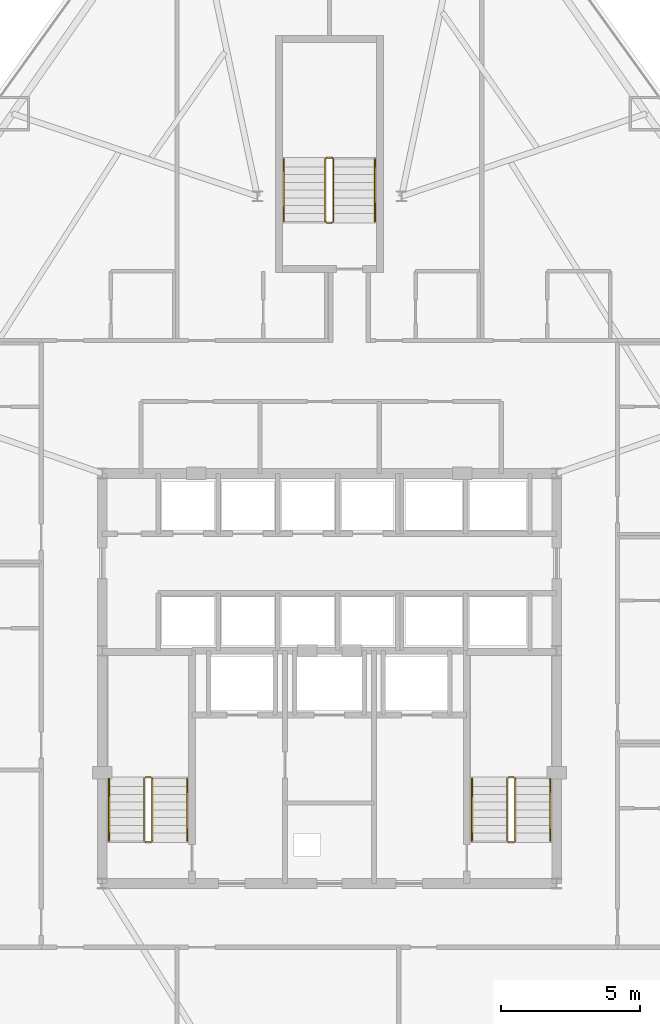
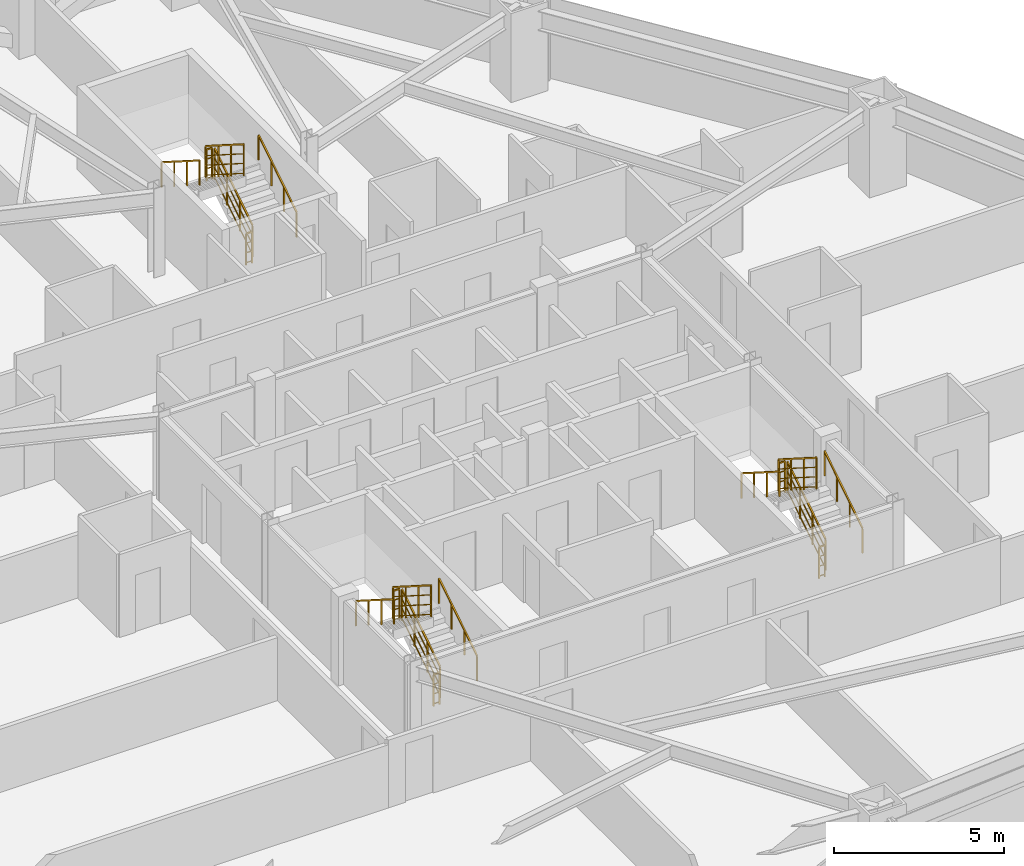
# One storey, part 12 of 12: 18 railings.
"""IFC4 building model written with IfcOpenShell, lengths in metres."""

import ifcopenshell
import ifcopenshell.guid

model = None  # the IFC model being written
_history = None  # IfcOwnerHistory: only IFC2X3 demands one
_inside = {}  # id of a spatial element -> (the spatial element, [elements in it])
_under = {}  # id of a project, library or spatial element -> (it, [spatial elements below it])
_declared = {}  # id of a project -> (the project, [libraries it declares])
_typed = {}  # id of a type object -> (the type object, [elements of that type])
_made_of = {}  # id of a material, layer set ... -> (it, [elements and type objects made of it])


def new_model(schema):
    """Start an empty IFC model of exactly this schema.

    Asked for "IFC4X3", IfcOpenShell would pick the latest addendum, in which some entities
    have other attributes; the version numbers below select the first issue.
    IFC2X3 requires an IfcOwnerHistory on every rooted entity: one is made here for all.
    """
    global model, _history
    if schema == "IFC4X3":
        model = ifcopenshell.file(schema_version=(4, 3, 0, 0))
    else:
        model = ifcopenshell.file(schema=schema)
    _inside.clear()
    _under.clear()
    _declared.clear()
    _typed.clear()
    _made_of.clear()
    _history = None
    if model.schema == "IFC2X3":
        org = make("IfcOrganization", Name="unknown")
        user = make(
            "IfcPersonAndOrganization",
            ThePerson=make("IfcPerson", FamilyName="unknown"),
            TheOrganization=org,
        )
        app = make(
            "IfcApplication",
            ApplicationDeveloper=org,
            Version="unknown",
            ApplicationFullName="unknown",
            ApplicationIdentifier="unknown",
        )
        _history = make(
            "IfcOwnerHistory",
            OwningUser=user,
            OwningApplication=app,
            ChangeAction="ADDED",
            CreationDate=0,
        )
    return model


def make(cls, **values):
    """One entity of the class cls with the attributes given. An attribute that is None is left unset."""
    return model.create_entity(
        cls, **{name: value for name, value in values.items() if value is not None}
    )


def rooted(cls, **values):
    """An entity with a GlobalId (a new one), such as an element, a storey or a relation."""
    return make(cls, GlobalId=ifcopenshell.guid.new(), OwnerHistory=_history, **values)


def si_unit(unit_type, name, prefix=None):
    """IfcSIUnit, for example si_unit("LENGTHUNIT", "METRE", prefix="MILLI")."""
    return make("IfcSIUnit", UnitType=unit_type, Prefix=prefix, Name=name)


def assignment(units):
    """IfcUnitAssignment: the units of a project."""
    return None if units is None else make("IfcUnitAssignment", Units=units)


def point(xyz):
    """IfcCartesianPoint."""
    return None if xyz is None else make("IfcCartesianPoint", Coordinates=xyz)


def direction(xyz):
    """IfcDirection."""
    return None if xyz is None else make("IfcDirection", DirectionRatios=xyz)


def frame(location, z_axis=None, x_axis=None):
    """IfcAxis2Placement3D, a coordinate frame: its origin and axes. An axis left out is left unset."""
    return make(
        "IfcAxis2Placement3D",
        Location=point(location),
        Axis=direction(z_axis),
        RefDirection=direction(x_axis),
    )


def frame_2d(location, x_axis=None):
    """IfcAxis2Placement2D, a coordinate frame in the plane: its origin and x axis."""
    return make(
        "IfcAxis2Placement2D", Location=point(location), RefDirection=direction(x_axis)
    )


def origin():
    """The frame at (0, 0, 0) with its axes left unset."""
    return frame((0.0, 0.0, 0.0))


def origin_2d():
    """The frame at (0, 0) in the plane with its x axis left unset."""
    return frame_2d((0.0, 0.0))


def place(relative_to, where):
    """IfcLocalPlacement: puts the frame where relative to a parent placement (None: the world)."""
    return make(
        "IfcLocalPlacement", PlacementRelTo=relative_to, RelativePlacement=where
    )


def context(
    kind, dimensions, precision=None, world=None, true_north=None, identifier=None
):
    """IfcGeometricRepresentationContext, for example the 3D "Model" context."""
    return make(
        "IfcGeometricRepresentationContext",
        ContextIdentifier=identifier,
        ContextType=kind,
        CoordinateSpaceDimension=dimensions,
        Precision=precision,
        WorldCoordinateSystem=world,
        TrueNorth=true_north,
    )


def subcontext(parent, identifier, kind, view, scale=None):
    """IfcGeometricRepresentationSubContext, for example "Body" below "Model"."""
    return make(
        "IfcGeometricRepresentationSubContext",
        ContextIdentifier=identifier,
        ContextType=kind,
        ParentContext=parent,
        TargetScale=scale,
        TargetView=view,
    )


def project(units=None, contexts=None):
    """IfcProject with its units and contexts."""
    return rooted(
        "IfcProject",
        Name="project",
        RepresentationContexts=contexts,
        UnitsInContext=assignment(units),
    )


def spatial(cls, under=None, at=None, **own):
    """A site, building, storey or space (cls), placed at a placement, below another one or the project."""
    s = rooted(cls, ObjectPlacement=at, **own)
    if under is not None:
        _under.setdefault(under.id(), (under, []))[1].append(s)
    return s


def profile(cls, at=None, kind="AREA", **sizes):
    """A parametric profile (cls). Its sizes go by their IFC names, for example OverallWidth=200.0."""
    return make(cls, ProfileType=kind, Position=at, **sizes)


def rectangle(**sizes):
    """IfcRectangleProfileDef."""
    return profile("IfcRectangleProfileDef", **sizes)


def extrude(swept, where, along, depth):
    """IfcExtrudedAreaSolid: the profile swept, set in the frame where, extruded along a direction by depth."""
    return make(
        "IfcExtrudedAreaSolid",
        SweptArea=swept,
        Position=where,
        ExtrudedDirection=direction(along),
        Depth=depth,
    )


def shape(context_of_items, identifier, shape_type, items):
    """IfcShapeRepresentation: the items that make up one representation, for example the "Body"."""
    return make(
        "IfcShapeRepresentation",
        ContextOfItems=context_of_items,
        RepresentationIdentifier=identifier,
        RepresentationType=shape_type,
        Items=items,
    )


def material(Name=None, Category=None):
    """IfcMaterial."""
    return make("IfcMaterial", Name=Name, Category=Category)


def made_of(thing, what):
    """Note that an element or type object is made of a material, layer set ...; save() writes the relation."""
    if what is not None:
        _made_of.setdefault(what.id(), (what, []))[1].append(thing)
    return thing


def type_object(cls, material=None, **own):
    """A type object (cls), such as IfcWallType, which elements share."""
    return made_of(rooted(cls, **own), material)


def element(
    cls,
    number,
    at=None,
    inside=None,
    cuts=None,
    type_object=None,
    material=None,
    context=None,
    identifier="Body",
    shape_type=None,
    held_by="IfcProductDefinitionShape",
    body=None,
    shapes=None,
    **own,
):
    """One element of the class cls, such as IfcWall. Its Tag is "e" and its number.

    at: its placement. inside: the storey or other place that contains it. cuts: it is an
    opening in that element (IfcRelVoidsElement). A single representation is given by context,
    identifier, shape_type and body (its items); several are given by shapes. held_by: the class
    of the entity that holds the representations. save() writes the other relations.
    """
    e = rooted(cls, Tag="e%d" % number, ObjectPlacement=at, **own)
    if body is not None:
        shapes = [shape(context, identifier, shape_type, body)]
    if shapes is not None:
        e.Representation = make(held_by, Representations=shapes)
    if inside is not None:
        _inside.setdefault(inside.id(), (inside, []))[1].append(e)
    if cuts is not None:
        rooted(
            "IfcRelVoidsElement", RelatingBuildingElement=cuts, RelatedOpeningElement=e
        )
    if type_object is not None:
        _typed.setdefault(type_object.id(), (type_object, []))[1].append(e)
    return made_of(e, material)


def aggregate(whole, parts):
    """IfcRelAggregates: a whole, such as a stair, and the parts it consists of."""
    return rooted("IfcRelAggregates", RelatingObject=whole, RelatedObjects=parts)


def save(model, path):
    """Write the relations noted so far, then the file.

    IfcRelAggregates (storeys below a building ...), IfcRelContainedInSpatialStructure (elements
    in a storey), IfcRelDefinesByType, IfcRelAssociatesMaterial and IfcRelDeclares: one each for
    every whole, place, type object, material and project.
    """
    for whole, parts in _under.values():
        aggregate(whole, parts)
    for where, things in _inside.values():
        rooted(
            "IfcRelContainedInSpatialStructure",
            RelatedElements=things,
            RelatingStructure=where,
        )
    for kind, things in _typed.values():
        rooted("IfcRelDefinesByType", RelatedObjects=things, RelatingType=kind)
    for what, things in _made_of.values():
        rooted("IfcRelAssociatesMaterial", RelatedObjects=things, RelatingMaterial=what)
    for by, libraries in _declared.values():
        rooted("IfcRelDeclares", RelatingContext=by, RelatedDefinitions=libraries)
    model.write(path)


model = new_model("IFC4")

# Units and contexts
model_context = context("Model", 3, precision=1e-05, world=origin(), true_north=direction((0.0, 1.0)))
body_context = subcontext(model_context, "Body", "Model", "MODEL_VIEW")
ifc_project = project(units=[si_unit("LENGTHUNIT", "METRE"), si_unit("AREAUNIT", "SQUARE_METRE"), si_unit("VOLUMEUNIT", "CUBIC_METRE"), si_unit("PLANEANGLEUNIT", "RADIAN"), si_unit("MASSUNIT", "GRAM", prefix="KILO")], contexts=[model_context])

# Site, building, storey
site_placement = place(None, origin())
site = spatial("IfcSite", under=ifc_project, at=site_placement, CompositionType="ELEMENT")
building_placement = place(site_placement, origin())
building = spatial("IfcBuilding", under=site, at=building_placement, Name="Varakhsha Concourse Tower", CompositionType="ELEMENT")
storey_placement = place(building_placement, frame((0.0, 0.0, 30.39990234375)))
storey = spatial("IfcBuildingStorey", under=building, at=storey_placement, Name="L07", CompositionType="ELEMENT", Elevation=30.39990234375)

# Railings
ifc_material = material(Name="Brushed Austenitic Stainless Steel AISI 316", Category="steel")
railing_type_1 = type_object("IfcRailingType", Name="RL-STAIR-GUARD-1100", PredefinedType="GUARDRAIL", material=ifc_material)
railing_1_placement = place(storey_placement, frame((33.610107421875, 17.93994140625, 0.177978515625)))
element("IfcRailing", 1, at=railing_1_placement, inside=storey, type_object=railing_type_1, Name="L07 ST1 stair guard 1", PredefinedType="GUARDRAIL", context=body_context, shape_type="SweptSolid", body=[
    extrude(rectangle(XDim=0.048095703125, YDim=0.048095703125, at=origin_2d()), frame((0.0, 0.0, 1.1259765625), z_axis=(0.0, 0.8442293374, 0.53598211339), x_axis=(-1.0, 0.0, 0.0)), (0.0, 0.0, 1.0), 2.6533203125),
    extrude(rectangle(XDim=0.028076171875, YDim=0.028076171875, at=origin_2d()), frame((0.0, 0.0, 0.080078125), z_axis=(0.0, 0.8442293374, 0.53598211339), x_axis=(-1.0, 0.0, 0.0)), (0.0, 0.0, 1.0), 2.6533203125),
    extrude(rectangle(XDim=0.028076171875, YDim=0.028076171875, at=origin_2d()), frame((0.0, 0.0, 0.43701171875), z_axis=(0.0, 0.8442293374, 0.53598211339), x_axis=(-1.0, 0.0, 0.0)), (0.0, 0.0, 1.0), 2.6533203125),
    extrude(rectangle(XDim=0.028076171875, YDim=0.028076171875, at=origin_2d()), frame((0.0, 0.0, 0.781982421875), z_axis=(0.0, 0.8442293374, 0.53598211339), x_axis=(-1.0, 0.0, 0.0)), (0.0, 0.0, 1.0), 2.6533203125),
    extrude(rectangle(XDim=0.0419921875, YDim=0.0419921875, at=origin_2d()), origin(), (0.0, 0.0, 1.0), 1.101806640625),
    extrude(rectangle(XDim=0.0419921875, YDim=0.0419921875, at=origin_2d()), frame((0.0, 0.74658203125, 0.47412109375)), (0.0, 0.0, 1.0), 1.101806640625),
    extrude(rectangle(XDim=0.0419921875, YDim=0.0419921875, at=origin_2d()), frame((0.0, 1.493408203125, 0.947998046875)), (0.0, 0.0, 1.0), 1.101806640625),
    extrude(rectangle(XDim=0.0419921875, YDim=0.0419921875, at=origin_2d()), frame((0.0, 2.239990234375, 1.422119140625)), (0.0, 0.0, 1.0), 1.101806640625),
])
railing_2_placement = place(storey_placement, frame((33.56005859375, 20.22998046875, 1.60009765625)))
element("IfcRailing", 2, at=railing_2_placement, inside=storey, type_object=railing_type_1, Name="L07 ST1 stair guard 2", PredefinedType="GUARDRAIL", context=body_context, shape_type="SweptSolid", body=[
    extrude(rectangle(XDim=0.048095703125, YDim=0.048095703125, at=origin_2d()), frame((0.0, 0.0, 1.1259765625), z_axis=(-1.0, 0.0, 0.0), x_axis=(0.0, -1.0, 0.0)), (0.0, 0.0, 1.0), 0.199951171875),
    extrude(rectangle(XDim=0.028076171875, YDim=0.028076171875, at=origin_2d()), frame((0.0, 0.0, 0.080078125), z_axis=(-1.0, 0.0, 0.0), x_axis=(0.0, -1.0, 0.0)), (0.0, 0.0, 1.0), 0.199951171875),
    extrude(rectangle(XDim=0.028076171875, YDim=0.028076171875, at=origin_2d()), frame((0.0, 0.0, 0.43701171875), z_axis=(-1.0, 0.0, 0.0), x_axis=(0.0, -1.0, 0.0)), (0.0, 0.0, 1.0), 0.199951171875),
    extrude(rectangle(XDim=0.028076171875, YDim=0.028076171875, at=origin_2d()), frame((0.0, 0.0, 0.781982421875), z_axis=(-1.0, 0.0, 0.0), x_axis=(0.0, -1.0, 0.0)), (0.0, 0.0, 1.0), 0.199951171875),
    extrude(rectangle(XDim=0.0419921875, YDim=0.0419921875, at=origin_2d()), origin(), (0.0, 0.0, 1.0), 1.101806640625),
    extrude(rectangle(XDim=0.0419921875, YDim=0.0419921875, at=origin_2d()), frame((-0.199951171875, 0.0, 0.0)), (0.0, 0.0, 1.0), 1.101806640625),
])
railing_3_placement = place(storey_placement, frame((33.31005859375, 20.179931640625, 1.77783203125)))
element("IfcRailing", 3, at=railing_3_placement, inside=storey, type_object=railing_type_1, Name="L07 ST1 stair guard 3", PredefinedType="GUARDRAIL", context=body_context, shape_type="SweptSolid", body=[
    extrude(rectangle(XDim=0.048095703125, YDim=0.048095703125, at=origin_2d()), frame((0.0, 0.0, 1.1259765625), z_axis=(0.0, -0.84418770128, 0.536047689118), x_axis=(1.0, 0.0, 0.0)), (0.0, 0.0, 1.0), 2.6533203125),
    extrude(rectangle(XDim=0.028076171875, YDim=0.028076171875, at=origin_2d()), frame((0.0, 0.0, 0.080078125), z_axis=(0.0, -0.84418770128, 0.536047689118), x_axis=(1.0, 0.0, 0.0)), (0.0, 0.0, 1.0), 2.6533203125),
    extrude(rectangle(XDim=0.028076171875, YDim=0.028076171875, at=origin_2d()), frame((0.0, 0.0, 0.43701171875), z_axis=(0.0, -0.84418770128, 0.536047689118), x_axis=(1.0, 0.0, 0.0)), (0.0, 0.0, 1.0), 2.6533203125),
    extrude(rectangle(XDim=0.028076171875, YDim=0.028076171875, at=origin_2d()), frame((0.0, 0.0, 0.781982421875), z_axis=(0.0, -0.84418770128, 0.536047689118), x_axis=(1.0, 0.0, 0.0)), (0.0, 0.0, 1.0), 2.6533203125),
    extrude(rectangle(XDim=0.0419921875, YDim=0.0419921875, at=origin_2d()), origin(), (0.0, 0.0, 1.0), 1.101806640625),
    extrude(rectangle(XDim=0.0419921875, YDim=0.0419921875, at=origin_2d()), frame((0.0, -0.74658203125, 0.47412109375)), (0.0, 0.0, 1.0), 1.101806640625),
    extrude(rectangle(XDim=0.0419921875, YDim=0.0419921875, at=origin_2d()), frame((0.0, -1.493408203125, 0.9482421875)), (0.0, 0.0, 1.0), 1.101806640625),
    extrude(rectangle(XDim=0.0419921875, YDim=0.0419921875, at=origin_2d()), frame((0.0, -2.239990234375, 1.42236328125)), (0.0, 0.0, 1.0), 1.101806640625),
])
railing_4_placement = place(storey_placement, frame((33.56005859375, 17.889892578125, 0.0)))
element("IfcRailing", 4, at=railing_4_placement, inside=storey, type_object=railing_type_1, Name="L07 ST1 stair guard 4", PredefinedType="GUARDRAIL", context=body_context, shape_type="SweptSolid", body=[
    extrude(rectangle(XDim=0.048095703125, YDim=0.048095703125, at=origin_2d()), frame((0.0, 0.0, 1.1259765625), z_axis=(-1.0, 0.0, 0.0), x_axis=(0.0, -1.0, 0.0)), (0.0, 0.0, 1.0), 0.199951171875),
    extrude(rectangle(XDim=0.028076171875, YDim=0.028076171875, at=origin_2d()), frame((0.0, 0.0, 0.080078125), z_axis=(-1.0, 0.0, 0.0), x_axis=(0.0, -1.0, 0.0)), (0.0, 0.0, 1.0), 0.199951171875),
    extrude(rectangle(XDim=0.028076171875, YDim=0.028076171875, at=origin_2d()), frame((0.0, 0.0, 0.43701171875), z_axis=(-1.0, 0.0, 0.0), x_axis=(0.0, -1.0, 0.0)), (0.0, 0.0, 1.0), 0.199951171875),
    extrude(rectangle(XDim=0.028076171875, YDim=0.028076171875, at=origin_2d()), frame((0.0, 0.0, 0.781982421875), z_axis=(-1.0, 0.0, 0.0), x_axis=(0.0, -1.0, 0.0)), (0.0, 0.0, 1.0), 0.199951171875),
    extrude(rectangle(XDim=0.0419921875, YDim=0.0419921875, at=origin_2d()), origin(), (0.0, 0.0, 1.0), 1.101806640625),
    extrude(rectangle(XDim=0.0419921875, YDim=0.0419921875, at=origin_2d()), frame((-0.199951171875, 0.0, 0.0)), (0.0, 0.0, 1.0), 1.101806640625),
])
railing_5_placement = place(storey_placement, frame((46.7099609375, 17.93994140625, 0.177978515625)))
element("IfcRailing", 5, at=railing_5_placement, inside=storey, type_object=railing_type_1, Name="L07 ST2 stair guard 1", PredefinedType="GUARDRAIL", context=body_context, shape_type="SweptSolid", body=[
    extrude(rectangle(XDim=0.048095703125, YDim=0.048095703125, at=origin_2d()), frame((0.0, 0.0, 1.1259765625), z_axis=(0.0, 0.8442293374, 0.53598211339), x_axis=(-1.0, 0.0, 0.0)), (0.0, 0.0, 1.0), 2.6533203125),
    extrude(rectangle(XDim=0.028076171875, YDim=0.028076171875, at=origin_2d()), frame((0.0, 0.0, 0.080078125), z_axis=(0.0, 0.8442293374, 0.53598211339), x_axis=(-1.0, 0.0, 0.0)), (0.0, 0.0, 1.0), 2.6533203125),
    extrude(rectangle(XDim=0.028076171875, YDim=0.028076171875, at=origin_2d()), frame((0.0, 0.0, 0.43701171875), z_axis=(0.0, 0.8442293374, 0.53598211339), x_axis=(-1.0, 0.0, 0.0)), (0.0, 0.0, 1.0), 2.6533203125),
    extrude(rectangle(XDim=0.028076171875, YDim=0.028076171875, at=origin_2d()), frame((0.0, 0.0, 0.781982421875), z_axis=(0.0, 0.8442293374, 0.53598211339), x_axis=(-1.0, 0.0, 0.0)), (0.0, 0.0, 1.0), 2.6533203125),
    extrude(rectangle(XDim=0.0419921875, YDim=0.0419921875, at=origin_2d()), origin(), (0.0, 0.0, 1.0), 1.101806640625),
    extrude(rectangle(XDim=0.0419921875, YDim=0.0419921875, at=origin_2d()), frame((0.0, 0.74658203125, 0.47412109375)), (0.0, 0.0, 1.0), 1.101806640625),
    extrude(rectangle(XDim=0.0419921875, YDim=0.0419921875, at=origin_2d()), frame((0.0, 1.493408203125, 0.947998046875)), (0.0, 0.0, 1.0), 1.101806640625),
    extrude(rectangle(XDim=0.0419921875, YDim=0.0419921875, at=origin_2d()), frame((0.0, 2.239990234375, 1.422119140625)), (0.0, 0.0, 1.0), 1.101806640625),
])
railing_6_placement = place(storey_placement, frame((46.659912109375, 20.22998046875, 1.60009765625)))
element("IfcRailing", 6, at=railing_6_placement, inside=storey, type_object=railing_type_1, Name="L07 ST2 stair guard 2", PredefinedType="GUARDRAIL", context=body_context, shape_type="SweptSolid", body=[
    extrude(rectangle(XDim=0.048095703125, YDim=0.048095703125, at=origin_2d()), frame((0.0, 0.0, 1.1259765625), z_axis=(-1.0, 0.0, 0.0), x_axis=(0.0, -1.0, 0.0)), (0.0, 0.0, 1.0), 0.199951171875),
    extrude(rectangle(XDim=0.028076171875, YDim=0.028076171875, at=origin_2d()), frame((0.0, 0.0, 0.080078125), z_axis=(-1.0, 0.0, 0.0), x_axis=(0.0, -1.0, 0.0)), (0.0, 0.0, 1.0), 0.199951171875),
    extrude(rectangle(XDim=0.028076171875, YDim=0.028076171875, at=origin_2d()), frame((0.0, 0.0, 0.43701171875), z_axis=(-1.0, 0.0, 0.0), x_axis=(0.0, -1.0, 0.0)), (0.0, 0.0, 1.0), 0.199951171875),
    extrude(rectangle(XDim=0.028076171875, YDim=0.028076171875, at=origin_2d()), frame((0.0, 0.0, 0.781982421875), z_axis=(-1.0, 0.0, 0.0), x_axis=(0.0, -1.0, 0.0)), (0.0, 0.0, 1.0), 0.199951171875),
    extrude(rectangle(XDim=0.0419921875, YDim=0.0419921875, at=origin_2d()), origin(), (0.0, 0.0, 1.0), 1.101806640625),
    extrude(rectangle(XDim=0.0419921875, YDim=0.0419921875, at=origin_2d()), frame((-0.199951171875, 0.0, 0.0)), (0.0, 0.0, 1.0), 1.101806640625),
])
railing_7_placement = place(storey_placement, frame((46.409912109375, 20.179931640625, 1.77783203125)))
element("IfcRailing", 7, at=railing_7_placement, inside=storey, type_object=railing_type_1, Name="L07 ST2 stair guard 3", PredefinedType="GUARDRAIL", context=body_context, shape_type="SweptSolid", body=[
    extrude(rectangle(XDim=0.048095703125, YDim=0.048095703125, at=origin_2d()), frame((0.0, 0.0, 1.1259765625), z_axis=(0.0, -0.84418770128, 0.536047689118), x_axis=(1.0, 0.0, 0.0)), (0.0, 0.0, 1.0), 2.6533203125),
    extrude(rectangle(XDim=0.028076171875, YDim=0.028076171875, at=origin_2d()), frame((0.0, 0.0, 0.080078125), z_axis=(0.0, -0.84418770128, 0.536047689118), x_axis=(1.0, 0.0, 0.0)), (0.0, 0.0, 1.0), 2.6533203125),
    extrude(rectangle(XDim=0.028076171875, YDim=0.028076171875, at=origin_2d()), frame((0.0, 0.0, 0.43701171875), z_axis=(0.0, -0.84418770128, 0.536047689118), x_axis=(1.0, 0.0, 0.0)), (0.0, 0.0, 1.0), 2.6533203125),
    extrude(rectangle(XDim=0.028076171875, YDim=0.028076171875, at=origin_2d()), frame((0.0, 0.0, 0.781982421875), z_axis=(0.0, -0.84418770128, 0.536047689118), x_axis=(1.0, 0.0, 0.0)), (0.0, 0.0, 1.0), 2.6533203125),
    extrude(rectangle(XDim=0.0419921875, YDim=0.0419921875, at=origin_2d()), origin(), (0.0, 0.0, 1.0), 1.101806640625),
    extrude(rectangle(XDim=0.0419921875, YDim=0.0419921875, at=origin_2d()), frame((0.0, -0.74658203125, 0.47412109375)), (0.0, 0.0, 1.0), 1.101806640625),
    extrude(rectangle(XDim=0.0419921875, YDim=0.0419921875, at=origin_2d()), frame((0.0, -1.493408203125, 0.9482421875)), (0.0, 0.0, 1.0), 1.101806640625),
    extrude(rectangle(XDim=0.0419921875, YDim=0.0419921875, at=origin_2d()), frame((0.0, -2.239990234375, 1.42236328125)), (0.0, 0.0, 1.0), 1.101806640625),
])
railing_8_placement = place(storey_placement, frame((46.659912109375, 17.889892578125, 0.0)))
element("IfcRailing", 8, at=railing_8_placement, inside=storey, type_object=railing_type_1, Name="L07 ST2 stair guard 4", PredefinedType="GUARDRAIL", context=body_context, shape_type="SweptSolid", body=[
    extrude(rectangle(XDim=0.048095703125, YDim=0.048095703125, at=origin_2d()), frame((0.0, 0.0, 1.1259765625), z_axis=(-1.0, 0.0, 0.0), x_axis=(0.0, -1.0, 0.0)), (0.0, 0.0, 1.0), 0.199951171875),
    extrude(rectangle(XDim=0.028076171875, YDim=0.028076171875, at=origin_2d()), frame((0.0, 0.0, 0.080078125), z_axis=(-1.0, 0.0, 0.0), x_axis=(0.0, -1.0, 0.0)), (0.0, 0.0, 1.0), 0.199951171875),
    extrude(rectangle(XDim=0.028076171875, YDim=0.028076171875, at=origin_2d()), frame((0.0, 0.0, 0.43701171875), z_axis=(-1.0, 0.0, 0.0), x_axis=(0.0, -1.0, 0.0)), (0.0, 0.0, 1.0), 0.199951171875),
    extrude(rectangle(XDim=0.028076171875, YDim=0.028076171875, at=origin_2d()), frame((0.0, 0.0, 0.781982421875), z_axis=(-1.0, 0.0, 0.0), x_axis=(0.0, -1.0, 0.0)), (0.0, 0.0, 1.0), 0.199951171875),
    extrude(rectangle(XDim=0.0419921875, YDim=0.0419921875, at=origin_2d()), origin(), (0.0, 0.0, 1.0), 1.101806640625),
    extrude(rectangle(XDim=0.0419921875, YDim=0.0419921875, at=origin_2d()), frame((-0.199951171875, 0.0, 0.0)), (0.0, 0.0, 1.0), 1.101806640625),
])
railing_9_placement = place(storey_placement, frame((40.14990234375, 40.300048828125, 0.177978515625)))
element("IfcRailing", 9, at=railing_9_placement, inside=storey, type_object=railing_type_1, Name="L07 ST5 stair guard 1", PredefinedType="GUARDRAIL", context=body_context, shape_type="SweptSolid", body=[
    extrude(rectangle(XDim=0.048095703125, YDim=0.048095703125, at=origin_2d()), frame((0.0, 0.0, 1.1259765625), z_axis=(0.0, 0.8442293374, 0.53598211339), x_axis=(-1.0, 0.0, 0.0)), (0.0, 0.0, 1.0), 2.6533203125),
    extrude(rectangle(XDim=0.028076171875, YDim=0.028076171875, at=origin_2d()), frame((0.0, 0.0, 0.080078125), z_axis=(0.0, 0.8442293374, 0.53598211339), x_axis=(-1.0, 0.0, 0.0)), (0.0, 0.0, 1.0), 2.6533203125),
    extrude(rectangle(XDim=0.028076171875, YDim=0.028076171875, at=origin_2d()), frame((0.0, 0.0, 0.43701171875), z_axis=(0.0, 0.8442293374, 0.53598211339), x_axis=(-1.0, 0.0, 0.0)), (0.0, 0.0, 1.0), 2.6533203125),
    extrude(rectangle(XDim=0.028076171875, YDim=0.028076171875, at=origin_2d()), frame((0.0, 0.0, 0.781982421875), z_axis=(0.0, 0.8442293374, 0.53598211339), x_axis=(-1.0, 0.0, 0.0)), (0.0, 0.0, 1.0), 2.6533203125),
    extrude(rectangle(XDim=0.0419921875, YDim=0.0419921875, at=origin_2d()), origin(), (0.0, 0.0, 1.0), 1.101806640625),
    extrude(rectangle(XDim=0.0419921875, YDim=0.0419921875, at=origin_2d()), frame((0.0, 0.74658203125, 0.47412109375)), (0.0, 0.0, 1.0), 1.101806640625),
    extrude(rectangle(XDim=0.0419921875, YDim=0.0419921875, at=origin_2d()), frame((0.0, 1.493408203125, 0.947998046875)), (0.0, 0.0, 1.0), 1.101806640625),
    extrude(rectangle(XDim=0.0419921875, YDim=0.0419921875, at=origin_2d()), frame((0.0, 2.239990234375, 1.422119140625)), (0.0, 0.0, 1.0), 1.101806640625),
])
railing_10_placement = place(storey_placement, frame((40.10009765625, 42.590087890625, 1.60009765625)))
element("IfcRailing", 10, at=railing_10_placement, inside=storey, type_object=railing_type_1, Name="L07 ST5 stair guard 2", PredefinedType="GUARDRAIL", context=body_context, shape_type="SweptSolid", body=[
    extrude(rectangle(XDim=0.048095703125, YDim=0.048095703125, at=origin_2d()), frame((0.0, 0.0, 1.1259765625), z_axis=(-1.0, 0.0, 0.0), x_axis=(0.0, -1.0, 0.0)), (0.0, 0.0, 1.0), 0.2001953125),
    extrude(rectangle(XDim=0.028076171875, YDim=0.028076171875, at=origin_2d()), frame((0.0, 0.0, 0.080078125), z_axis=(-1.0, 0.0, 0.0), x_axis=(0.0, -1.0, 0.0)), (0.0, 0.0, 1.0), 0.2001953125),
    extrude(rectangle(XDim=0.028076171875, YDim=0.028076171875, at=origin_2d()), frame((0.0, 0.0, 0.43701171875), z_axis=(-1.0, 0.0, 0.0), x_axis=(0.0, -1.0, 0.0)), (0.0, 0.0, 1.0), 0.2001953125),
    extrude(rectangle(XDim=0.028076171875, YDim=0.028076171875, at=origin_2d()), frame((0.0, 0.0, 0.781982421875), z_axis=(-1.0, 0.0, 0.0), x_axis=(0.0, -1.0, 0.0)), (0.0, 0.0, 1.0), 0.2001953125),
    extrude(rectangle(XDim=0.0419921875, YDim=0.0419921875, at=origin_2d()), origin(), (0.0, 0.0, 1.0), 1.101806640625),
    extrude(rectangle(XDim=0.0419921875, YDim=0.0419921875, at=origin_2d()), frame((-0.2001953125, 0.0, 0.0)), (0.0, 0.0, 1.0), 1.101806640625),
])
railing_11_placement = place(storey_placement, frame((39.85009765625, 42.5400390625, 1.77783203125)))
element("IfcRailing", 11, at=railing_11_placement, inside=storey, type_object=railing_type_1, Name="L07 ST5 stair guard 3", PredefinedType="GUARDRAIL", context=body_context, shape_type="SweptSolid", body=[
    extrude(rectangle(XDim=0.048095703125, YDim=0.048095703125, at=origin_2d()), frame((0.0, 0.0, 1.1259765625), z_axis=(0.0, -0.84418770128, 0.536047689118), x_axis=(1.0, 0.0, 0.0)), (0.0, 0.0, 1.0), 2.6533203125),
    extrude(rectangle(XDim=0.028076171875, YDim=0.028076171875, at=origin_2d()), frame((0.0, 0.0, 0.080078125), z_axis=(0.0, -0.84418770128, 0.536047689118), x_axis=(1.0, 0.0, 0.0)), (0.0, 0.0, 1.0), 2.6533203125),
    extrude(rectangle(XDim=0.028076171875, YDim=0.028076171875, at=origin_2d()), frame((0.0, 0.0, 0.43701171875), z_axis=(0.0, -0.84418770128, 0.536047689118), x_axis=(1.0, 0.0, 0.0)), (0.0, 0.0, 1.0), 2.6533203125),
    extrude(rectangle(XDim=0.028076171875, YDim=0.028076171875, at=origin_2d()), frame((0.0, 0.0, 0.781982421875), z_axis=(0.0, -0.84418770128, 0.536047689118), x_axis=(1.0, 0.0, 0.0)), (0.0, 0.0, 1.0), 2.6533203125),
    extrude(rectangle(XDim=0.0419921875, YDim=0.0419921875, at=origin_2d()), origin(), (0.0, 0.0, 1.0), 1.101806640625),
    extrude(rectangle(XDim=0.0419921875, YDim=0.0419921875, at=origin_2d()), frame((0.0, -0.74658203125, 0.47412109375)), (0.0, 0.0, 1.0), 1.101806640625),
    extrude(rectangle(XDim=0.0419921875, YDim=0.0419921875, at=origin_2d()), frame((0.0, -1.493408203125, 0.9482421875)), (0.0, 0.0, 1.0), 1.101806640625),
    extrude(rectangle(XDim=0.0419921875, YDim=0.0419921875, at=origin_2d()), frame((0.0, -2.239990234375, 1.42236328125)), (0.0, 0.0, 1.0), 1.101806640625),
])
railing_12_placement = place(storey_placement, frame((40.10009765625, 40.25, 0.0)))
element("IfcRailing", 12, at=railing_12_placement, inside=storey, type_object=railing_type_1, Name="L07 ST5 stair guard 4", PredefinedType="GUARDRAIL", context=body_context, shape_type="SweptSolid", body=[
    extrude(rectangle(XDim=0.048095703125, YDim=0.048095703125, at=origin_2d()), frame((0.0, 0.0, 1.1259765625), z_axis=(-1.0, 0.0, 0.0), x_axis=(0.0, -1.0, 0.0)), (0.0, 0.0, 1.0), 0.2001953125),
    extrude(rectangle(XDim=0.028076171875, YDim=0.028076171875, at=origin_2d()), frame((0.0, 0.0, 0.080078125), z_axis=(-1.0, 0.0, 0.0), x_axis=(0.0, -1.0, 0.0)), (0.0, 0.0, 1.0), 0.2001953125),
    extrude(rectangle(XDim=0.028076171875, YDim=0.028076171875, at=origin_2d()), frame((0.0, 0.0, 0.43701171875), z_axis=(-1.0, 0.0, 0.0), x_axis=(0.0, -1.0, 0.0)), (0.0, 0.0, 1.0), 0.2001953125),
    extrude(rectangle(XDim=0.028076171875, YDim=0.028076171875, at=origin_2d()), frame((0.0, 0.0, 0.781982421875), z_axis=(-1.0, 0.0, 0.0), x_axis=(0.0, -1.0, 0.0)), (0.0, 0.0, 1.0), 0.2001953125),
    extrude(rectangle(XDim=0.0419921875, YDim=0.0419921875, at=origin_2d()), origin(), (0.0, 0.0, 1.0), 1.101806640625),
    extrude(rectangle(XDim=0.0419921875, YDim=0.0419921875, at=origin_2d()), frame((-0.2001953125, 0.0, 0.0)), (0.0, 0.0, 1.0), 1.101806640625),
])
railing_type_2 = type_object("IfcRailingType", Name="RL-STAIR-RAIL-915", PredefinedType="HANDRAIL", material=ifc_material)
railing_13_placement = place(storey_placement, frame((34.8701171875, 17.93994140625, 0.355712890625)))
element("IfcRailing", 13, at=railing_13_placement, inside=storey, type_object=railing_type_2, Name="L07 ST1 stair handrail 1", PredefinedType="HANDRAIL", context=body_context, shape_type="SweptSolid", body=[
    extrude(rectangle(XDim=0.048095703125, YDim=0.048095703125, at=origin_2d()), frame((0.0, 0.0, 0.89111328125), z_axis=(0.0, 0.8442293374, 0.53598211339), x_axis=(-1.0, 0.0, 0.0)), (0.0, 0.0, 1.0), 2.6533203125),
    extrude(rectangle(XDim=0.0419921875, YDim=0.0419921875, at=origin_2d()), origin(), (0.0, 0.0, 1.0), 0.866943359375),
    extrude(rectangle(XDim=0.0419921875, YDim=0.0419921875, at=origin_2d()), frame((0.0, 0.74658203125, 0.47412109375)), (0.0, 0.0, 1.0), 0.866943359375),
    extrude(rectangle(XDim=0.0419921875, YDim=0.0419921875, at=origin_2d()), frame((0.0, 1.493408203125, 0.947998046875)), (0.0, 0.0, 1.0), 0.866943359375),
    extrude(rectangle(XDim=0.0419921875, YDim=0.0419921875, at=origin_2d()), frame((0.0, 2.239990234375, 1.422119140625)), (0.0, 0.0, 1.0), 0.866943359375),
])
railing_14_placement = place(storey_placement, frame((32.050048828125, 20.179931640625, 1.95556640625)))
element("IfcRailing", 14, at=railing_14_placement, inside=storey, type_object=railing_type_2, Name="L07 ST1 stair handrail 2", PredefinedType="HANDRAIL", context=body_context, shape_type="SweptSolid", body=[
    extrude(rectangle(XDim=0.048095703125, YDim=0.048095703125, at=origin_2d()), frame((0.0, 0.0, 0.89111328125), z_axis=(0.0, -0.84418770128, 0.536047689118), x_axis=(1.0, 0.0, 0.0)), (0.0, 0.0, 1.0), 2.6533203125),
    extrude(rectangle(XDim=0.0419921875, YDim=0.0419921875, at=origin_2d()), origin(), (0.0, 0.0, 1.0), 0.866943359375),
    extrude(rectangle(XDim=0.0419921875, YDim=0.0419921875, at=origin_2d()), frame((0.0, -0.74658203125, 0.47412109375)), (0.0, 0.0, 1.0), 0.866943359375),
    extrude(rectangle(XDim=0.0419921875, YDim=0.0419921875, at=origin_2d()), frame((0.0, -1.493408203125, 0.9482421875)), (0.0, 0.0, 1.0), 0.866943359375),
    extrude(rectangle(XDim=0.0419921875, YDim=0.0419921875, at=origin_2d()), frame((0.0, -2.239990234375, 1.42236328125)), (0.0, 0.0, 1.0), 0.866943359375),
])
railing_15_placement = place(storey_placement, frame((47.969970703125, 17.93994140625, 0.355712890625)))
element("IfcRailing", 15, at=railing_15_placement, inside=storey, type_object=railing_type_2, Name="L07 ST2 stair handrail 1", PredefinedType="HANDRAIL", context=body_context, shape_type="SweptSolid", body=[
    extrude(rectangle(XDim=0.048095703125, YDim=0.048095703125, at=origin_2d()), frame((0.0, 0.0, 0.89111328125), z_axis=(0.0, 0.8442293374, 0.53598211339), x_axis=(-1.0, 0.0, 0.0)), (0.0, 0.0, 1.0), 2.6533203125),
    extrude(rectangle(XDim=0.0419921875, YDim=0.0419921875, at=origin_2d()), origin(), (0.0, 0.0, 1.0), 0.866943359375),
    extrude(rectangle(XDim=0.0419921875, YDim=0.0419921875, at=origin_2d()), frame((0.0, 0.74658203125, 0.47412109375)), (0.0, 0.0, 1.0), 0.866943359375),
    extrude(rectangle(XDim=0.0419921875, YDim=0.0419921875, at=origin_2d()), frame((0.0, 1.493408203125, 0.947998046875)), (0.0, 0.0, 1.0), 0.866943359375),
    extrude(rectangle(XDim=0.0419921875, YDim=0.0419921875, at=origin_2d()), frame((0.0, 2.239990234375, 1.422119140625)), (0.0, 0.0, 1.0), 0.866943359375),
])
railing_16_placement = place(storey_placement, frame((45.14990234375, 20.179931640625, 1.95556640625)))
element("IfcRailing", 16, at=railing_16_placement, inside=storey, type_object=railing_type_2, Name="L07 ST2 stair handrail 2", PredefinedType="HANDRAIL", context=body_context, shape_type="SweptSolid", body=[
    extrude(rectangle(XDim=0.048095703125, YDim=0.048095703125, at=origin_2d()), frame((0.0, 0.0, 0.89111328125), z_axis=(0.0, -0.84418770128, 0.536047689118), x_axis=(1.0, 0.0, 0.0)), (0.0, 0.0, 1.0), 2.6533203125),
    extrude(rectangle(XDim=0.0419921875, YDim=0.0419921875, at=origin_2d()), origin(), (0.0, 0.0, 1.0), 0.866943359375),
    extrude(rectangle(XDim=0.0419921875, YDim=0.0419921875, at=origin_2d()), frame((0.0, -0.74658203125, 0.47412109375)), (0.0, 0.0, 1.0), 0.866943359375),
    extrude(rectangle(XDim=0.0419921875, YDim=0.0419921875, at=origin_2d()), frame((0.0, -1.493408203125, 0.9482421875)), (0.0, 0.0, 1.0), 0.866943359375),
    extrude(rectangle(XDim=0.0419921875, YDim=0.0419921875, at=origin_2d()), frame((0.0, -2.239990234375, 1.42236328125)), (0.0, 0.0, 1.0), 0.866943359375),
])
railing_17_placement = place(storey_placement, frame((41.64990234375, 40.300048828125, 0.355712890625)))
element("IfcRailing", 17, at=railing_17_placement, inside=storey, type_object=railing_type_2, Name="L07 ST5 stair handrail 1", PredefinedType="HANDRAIL", context=body_context, shape_type="SweptSolid", body=[
    extrude(rectangle(XDim=0.048095703125, YDim=0.048095703125, at=origin_2d()), frame((0.0, 0.0, 0.89111328125), z_axis=(0.0, 0.8442293374, 0.53598211339), x_axis=(-1.0, 0.0, 0.0)), (0.0, 0.0, 1.0), 2.6533203125),
    extrude(rectangle(XDim=0.0419921875, YDim=0.0419921875, at=origin_2d()), origin(), (0.0, 0.0, 1.0), 0.866943359375),
    extrude(rectangle(XDim=0.0419921875, YDim=0.0419921875, at=origin_2d()), frame((0.0, 0.74658203125, 0.47412109375)), (0.0, 0.0, 1.0), 0.866943359375),
    extrude(rectangle(XDim=0.0419921875, YDim=0.0419921875, at=origin_2d()), frame((0.0, 1.493408203125, 0.947998046875)), (0.0, 0.0, 1.0), 0.866943359375),
    extrude(rectangle(XDim=0.0419921875, YDim=0.0419921875, at=origin_2d()), frame((0.0, 2.239990234375, 1.422119140625)), (0.0, 0.0, 1.0), 0.866943359375),
])
railing_18_placement = place(storey_placement, frame((38.35009765625, 42.5400390625, 1.95556640625)))
element("IfcRailing", 18, at=railing_18_placement, inside=storey, type_object=railing_type_2, Name="L07 ST5 stair handrail 2", PredefinedType="HANDRAIL", context=body_context, shape_type="SweptSolid", body=[
    extrude(rectangle(XDim=0.048095703125, YDim=0.048095703125, at=origin_2d()), frame((0.0, 0.0, 0.89111328125), z_axis=(0.0, -0.84418770128, 0.536047689118), x_axis=(1.0, 0.0, 0.0)), (0.0, 0.0, 1.0), 2.6533203125),
    extrude(rectangle(XDim=0.0419921875, YDim=0.0419921875, at=origin_2d()), origin(), (0.0, 0.0, 1.0), 0.866943359375),
    extrude(rectangle(XDim=0.0419921875, YDim=0.0419921875, at=origin_2d()), frame((0.0, -0.74658203125, 0.47412109375)), (0.0, 0.0, 1.0), 0.866943359375),
    extrude(rectangle(XDim=0.0419921875, YDim=0.0419921875, at=origin_2d()), frame((0.0, -1.493408203125, 0.9482421875)), (0.0, 0.0, 1.0), 0.866943359375),
    extrude(rectangle(XDim=0.0419921875, YDim=0.0419921875, at=origin_2d()), frame((0.0, -2.239990234375, 1.42236328125)), (0.0, 0.0, 1.0), 0.866943359375),
])

save(model, "model.ifc")
